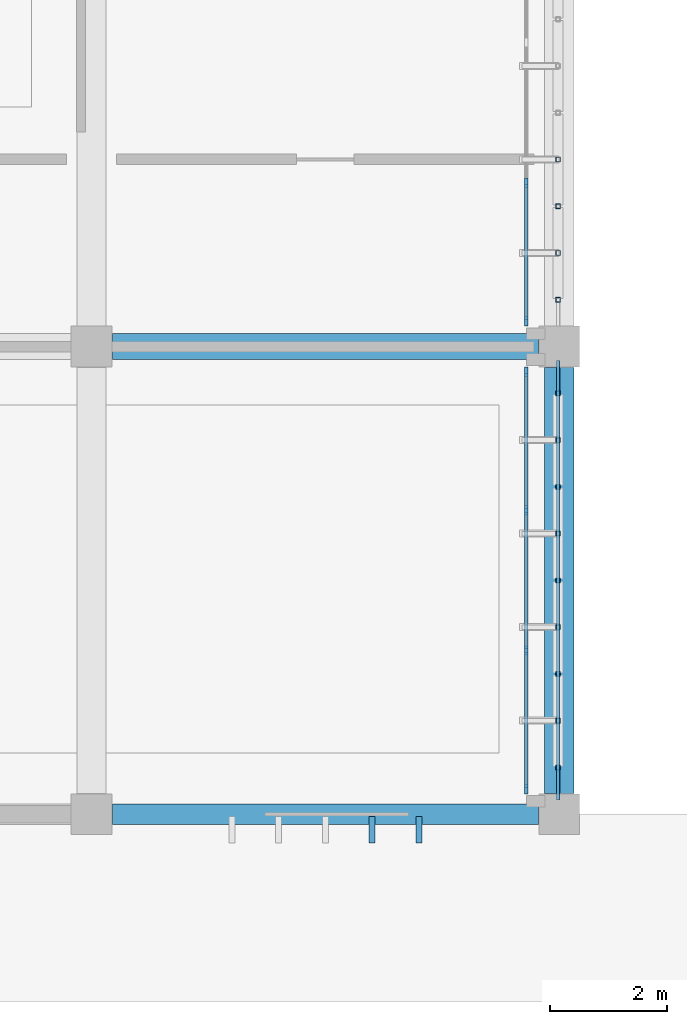
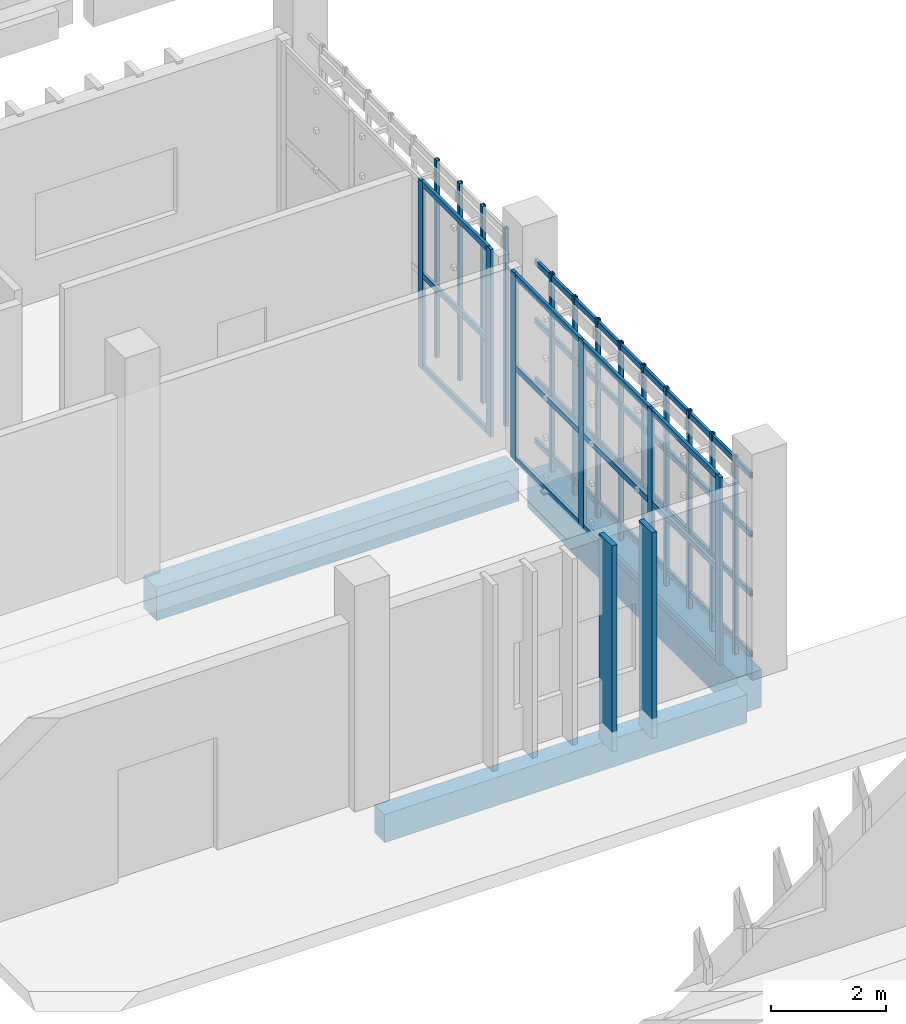
# One storey, part 44 of 117: 37 members, 3 beams, 2 elements without a shape of their own.
"""IFC4 building model written with IfcOpenShell, lengths in metres."""

from ifc_helpers import new_model, si_unit, direction, frame, origin, origin_2d, place, context, subcontext, project, spatial, rectangle, hollow_rectangle, extrude, material, layer, layer_set, material_profile, profile_set, type_object, element, aggregate, save


model = new_model("IFC4")

# Units and contexts
model_context = context("Model", 3, precision=1e-05, world=origin(), true_north=direction((0.0, 1.0)))
body_context = subcontext(model_context, "Body", "Model", "MODEL_VIEW")
ifc_project = project(units=[si_unit("LENGTHUNIT", "METRE"), si_unit("AREAUNIT", "SQUARE_METRE"), si_unit("VOLUMEUNIT", "CUBIC_METRE"), si_unit("PLANEANGLEUNIT", "RADIAN"), si_unit("MASSUNIT", "GRAM", prefix="KILO")], contexts=[model_context])

# Site, building, storey
site_placement = place(None, origin())
site = spatial("IfcSite", under=ifc_project, at=site_placement, CompositionType="ELEMENT")
building_placement = place(site_placement, origin())
building = spatial("IfcBuilding", under=site, at=building_placement, Name="Jelvoka-Kovrelna Polytechnic", CompositionType="ELEMENT")
storey_placement = place(building_placement, origin())
storey = spatial("IfcBuildingStorey", under=building, at=storey_placement, Name="L01", CompositionType="ELEMENT", Elevation=0.0)

# Beams
ifc_material_1 = material(Name="Concrete C40/50", Category="concrete")
ifc_material_profile_1 = material_profile(ifc_material_1, rectangle(XDim=0.449951171875, YDim=0.699951171875, at=origin_2d()), Name="RC 450x700")
ifc_profile_set_1 = profile_set([ifc_material_profile_1], Name="Concrete C40/50")
beam_type_1 = type_object("IfcBeamType", Name="Beam_RC_450x700", PredefinedType="BEAM", material=ifc_profile_set_1)
beam_1_placement = place(storey_placement, frame((104.35498046875, 40.0, -0.7548828125), z_axis=(1.0, 0.0, 0.0), x_axis=(0.0, 1.0, 0.0)))
element("IfcBeam", 1, at=beam_1_placement, inside=storey, type_object=beam_type_1, Name="L01 beam 0378", PredefinedType="BEAM", context=body_context, shape_type="SweptSolid", body=[
    extrude(rectangle(XDim=0.449951171875, YDim=0.699951171875, at=origin_2d()), origin(), (0.0, 0.0, 1.0), 7.2900390625),
])
ifc_material_2 = material(Name="Concrete C40/50", Category="concrete")
ifc_material_profile_2 = material_profile(ifc_material_2, rectangle(XDim=0.5, YDim=0.800048828125, at=origin_2d()), Name="RC 500x800")
ifc_profile_set_2 = profile_set([ifc_material_profile_2], Name="Concrete C40/50")
beam_type_2 = type_object("IfcBeamType", Name="Beam_RC_500x800", PredefinedType="BEAM", material=ifc_profile_set_2)
beam_2_placement = place(storey_placement, frame((112.0, 32.35498046875, -0.804931640625), z_axis=(0.0, 1.0, 0.0), x_axis=(-1.0, 0.0, 0.0)))
element("IfcBeam", 2, at=beam_2_placement, inside=storey, type_object=beam_type_2, Name="L01 beam 0400", PredefinedType="BEAM", context=body_context, shape_type="SweptSolid", body=[
    extrude(rectangle(XDim=0.5, YDim=0.800048828125, at=origin_2d()), origin(), (0.0, 0.0, 1.0), 7.2900390625),
])

# Members
ifc_material_3 = material(Name="Precast concrete C40/50", Category="concrete")
ifc_material_profile_3 = material_profile(ifc_material_3, rectangle(XDim=0.10009765625, YDim=0.449951171875, at=origin_2d()), Name="PC 100x450")
ifc_profile_set_3 = profile_set([ifc_material_profile_3], Name="Precast concrete C40/50")
member_type_1 = type_object("IfcMemberType", Name="Louvre_Fin_100x450", PredefinedType="USERDEFINED", material=ifc_profile_set_3)
for number, where, z_axis, x_axis, name in (
    (3, (108.800048828125, 31.735107421875, -0.419921875), (0.0, 0.0, 1.0), (1.0, 0.0, 0.0), "L01 B2W south vertical solar louvre fin 0594"),
    (4, (109.60009765625, 31.735107421875, -0.419921875), (0.0, 0.0, 1.0), (1.0, 0.0, 0.0), "L01 B2W south vertical solar louvre fin 0595"),
):
    element("IfcMember", number, at=place(storey_placement, frame(where, z_axis=z_axis, x_axis=x_axis)), inside=storey, type_object=member_type_1, Name=name, ObjectType="SUNSHADE", PredefinedType="USERDEFINED", context=body_context, shape_type="SweptSolid", body=[
        extrude(rectangle(XDim=0.10009765625, YDim=0.449951171875, at=origin_2d()), origin(), (0.0, 0.0, 1.0), 4.3798828125),
    ])
ifc_material_4 = material(Name="Structural steel S355J2H", Category="steel")
ifc_material_profile_4 = material_profile(ifc_material_4, hollow_rectangle(XDim=0.06005859375, YDim=0.1201171875, WallThickness=0.0048828125, InnerFilletRadius=0.0048828125, OuterFilletRadius=0.007568359375, at=origin_2d()), Name="120x60x5.0 RHS")
ifc_profile_set_4 = profile_set([ifc_material_profile_4], Name="Structural steel S355J2H")
member_type_2 = type_object("IfcMemberType", Name="Member_Strut_RHS120", PredefinedType="STRUT", material=ifc_profile_set_4)
for number, where, z_axis, x_axis, name in (
    (5, (111.97998046875, 32.239990234375, 0.080078125), (0.0, 1.0, 0.0), (-1.0, 0.0, 0.0), "L01 terracotta screen horizontal strut 0105"),
    (6, (111.97998046875, 32.239990234375, 1.37548828125), (0.0, 1.0, 0.0), (-1.0, 0.0, 0.0), "L01 terracotta screen horizontal strut 0106"),
    (7, (111.97998046875, 32.239990234375, 2.6328125), (0.0, 1.0, 0.0), (-1.0, 0.0, 0.0), "L01 terracotta screen horizontal strut 0107"),
    (8, (111.97998046875, 32.239990234375, 3.889892578125), (0.0, 1.0, 0.0), (-1.0, 0.0, 0.0), "L01 terracotta screen horizontal strut 0108"),
):
    element("IfcMember", number, at=place(storey_placement, frame(where, z_axis=z_axis, x_axis=x_axis)), inside=storey, type_object=member_type_2, Name=name, PredefinedType="STRUT", context=body_context, shape_type="SweptSolid", body=[
        extrude(hollow_rectangle(XDim=0.06005859375, YDim=0.1201171875, WallThickness=0.0048828125, InnerFilletRadius=0.0048828125, OuterFilletRadius=0.007568359375, at=origin_2d()), origin(), (0.0, 0.0, 1.0), 7.52001953125),
    ])
ifc_material_5 = material(Name="Structural steel S355J2H", Category="steel")
ifc_material_profile_5 = material_profile(ifc_material_5, hollow_rectangle(XDim=0.080078125, YDim=0.080078125, WallThickness=0.0048828125, InnerFilletRadius=0.0048828125, OuterFilletRadius=0.007568359375, at=origin_2d()), Name="80x80x5.0 SHS")
ifc_profile_set_5 = profile_set([ifc_material_profile_5], Name="Structural steel S355J2H")
member_type_3 = type_object("IfcMemberType", Name="Member_Strut_SHS80", PredefinedType="STRUT", material=ifc_profile_set_5)
for number, where, z_axis, x_axis, name in (
    (9, (111.97998046875, 32.800048828125, -0.22998046875), (0.0, 0.0, 1.0), (1.0, 0.0, 0.0), "L01 terracotta lattice vertical rib 0109"),
    (10, (111.97998046875, 33.60009765625, -0.22998046875), (0.0, 0.0, 1.0), (1.0, 0.0, 0.0), "L01 terracotta lattice vertical rib 0110"),
    (11, (111.97998046875, 34.39990234375, -0.22998046875), (0.0, 0.0, 1.0), (1.0, 0.0, 0.0), "L01 terracotta lattice vertical rib 0111"),
    (12, (111.97998046875, 35.199951171875, -0.22998046875), (0.0, 0.0, 1.0), (1.0, 0.0, 0.0), "L01 terracotta lattice vertical rib 0112"),
    (13, (111.97998046875, 36.0, -0.22998046875), (0.0, 0.0, 1.0), (1.0, 0.0, 0.0), "L01 terracotta lattice vertical rib 0113"),
    (14, (111.97998046875, 36.800048828125, -0.22998046875), (0.0, 0.0, 1.0), (1.0, 0.0, 0.0), "L01 terracotta lattice vertical rib 0114"),
    (15, (111.97998046875, 37.60009765625, -0.22998046875), (0.0, 0.0, 1.0), (1.0, 0.0, 0.0), "L01 terracotta lattice vertical rib 0115"),
    (16, (111.97998046875, 38.39990234375, -0.22998046875), (0.0, 0.0, 1.0), (1.0, 0.0, 0.0), "L01 terracotta lattice vertical rib 0116"),
    (17, (111.97998046875, 39.199951171875, -0.22998046875), (0.0, 0.0, 1.0), (1.0, 0.0, 0.0), "L01 terracotta lattice vertical rib 0117"),
    (18, (111.97998046875, 40.800048828125, -0.22998046875), (0.0, 0.0, 1.0), (1.0, 0.0, 0.0), "L01 terracotta lattice vertical rib 0122"),
    (19, (111.97998046875, 41.60009765625, -0.22998046875), (0.0, 0.0, 1.0), (1.0, 0.0, 0.0), "L01 terracotta lattice vertical rib 0123"),
    (20, (111.97998046875, 42.39990234375, -0.22998046875), (0.0, 0.0, 1.0), (1.0, 0.0, 0.0), "L01 terracotta lattice vertical rib 0124"),
    (21, (111.97998046875, 43.199951171875, -0.22998046875), (0.0, 0.0, 1.0), (1.0, 0.0, 0.0), "L01 terracotta lattice vertical rib 0125"),
):
    element("IfcMember", number, at=place(storey_placement, frame(where, z_axis=z_axis, x_axis=x_axis)), inside=storey, type_object=member_type_3, Name=name, PredefinedType="STRUT", context=body_context, shape_type="SweptSolid", body=[
        extrude(hollow_rectangle(XDim=0.080078125, YDim=0.080078125, WallThickness=0.0048828125, InnerFilletRadius=0.0048828125, OuterFilletRadius=0.007568359375, at=origin_2d()), origin(), (0.0, 0.0, 1.0), 4.2099609375),
    ])

# Curtain wall, members
ifc_material_6 = material(Name="Anodised aluminium 6063-T6", Category="aluminium")
ifc_layer = layer(ifc_material_6, 0.159912109375)
ifc_layer_set = layer_set([ifc_layer], Name="Anodised aluminium 6063-T6")
curtain_wall_type = type_object("IfcCurtainWallType", Name="CW_Recessed_A", PredefinedType="NOTDEFINED", material=ifc_layer_set)
curtain_wall_1_placement = place(storey_placement, origin())
curtain_wall_1 = element("IfcCurtainWall", 22, at=curtain_wall_1_placement, inside=storey, type_object=curtain_wall_type, Name="L01 glazed curtain wall 013", PredefinedType="NOTDEFINED")
ifc_material_7 = material(Name="Anodised aluminium 6063-T6", Category="aluminium")
ifc_material_profile_6 = material_profile(ifc_material_7, rectangle(XDim=0.06005859375, YDim=0.159912109375, at=origin_2d()), Name="ALU 60x160")
ifc_profile_set_6 = profile_set([ifc_material_profile_6], Name="Anodised aluminium 6063-T6")
member_type_4 = type_object("IfcMemberType", Name="Mullion_M-01", PredefinedType="MULLION", material=ifc_profile_set_6)
member_1_placement = place(storey_placement, frame((111.43994140625, 39.570068359375, -0.02490234375), z_axis=(0.0, 0.0, 1.0), x_axis=(1.0, 0.0, 0.0)))
member_1 = element("IfcMember", 23, at=member_1_placement, type_object=member_type_4, Name="CW-01 mullion 1", PredefinedType="MULLION", context=body_context, shape_type="SweptSolid", body=[
    extrude(rectangle(XDim=0.06005859375, YDim=0.159912109375, at=origin_2d()), origin(), (0.0, 0.0, 1.0), 4.0),
])
member_2_placement = place(storey_placement, frame((111.43994140625, 37.199951171875, -0.02490234375), z_axis=(0.0, 0.0, 1.0), x_axis=(1.0, 0.0, 0.0)))
member_2 = element("IfcMember", 24, at=member_2_placement, type_object=member_type_4, Name="CW-01 mullion 2", PredefinedType="MULLION", context=body_context, shape_type="SweptSolid", body=[
    extrude(rectangle(XDim=0.06005859375, YDim=0.159912109375, at=origin_2d()), origin(), (0.0, 0.0, 1.0), 4.0),
])
member_3_placement = place(storey_placement, frame((111.43994140625, 34.800048828125, -0.02490234375), z_axis=(0.0, 0.0, 1.0), x_axis=(1.0, 0.0, 0.0)))
member_3 = element("IfcMember", 25, at=member_3_placement, type_object=member_type_4, Name="CW-01 mullion 3", PredefinedType="MULLION", context=body_context, shape_type="SweptSolid", body=[
    extrude(rectangle(XDim=0.06005859375, YDim=0.159912109375, at=origin_2d()), origin(), (0.0, 0.0, 1.0), 4.0),
])
member_4_placement = place(storey_placement, frame((111.43994140625, 32.429931640625, -0.02490234375), z_axis=(0.0, 0.0, 1.0), x_axis=(1.0, 0.0, 0.0)))
member_4 = element("IfcMember", 26, at=member_4_placement, type_object=member_type_4, Name="CW-01 mullion 4", PredefinedType="MULLION", context=body_context, shape_type="SweptSolid", body=[
    extrude(rectangle(XDim=0.06005859375, YDim=0.159912109375, at=origin_2d()), origin(), (0.0, 0.0, 1.0), 4.0),
])

curtain_wall_2_placement = place(storey_placement, origin())
curtain_wall_2 = element("IfcCurtainWall", 27, at=curtain_wall_2_placement, inside=storey, type_object=curtain_wall_type, Name="L01 glazed curtain wall 014", PredefinedType="NOTDEFINED")
member_5_placement = place(storey_placement, frame((111.43994140625, 42.800048828125, -0.02490234375), z_axis=(0.0, 0.0, 1.0), x_axis=(1.0, 0.0, 0.0)))
member_5 = element("IfcMember", 28, at=member_5_placement, type_object=member_type_4, Name="CW-01 mullion 3", PredefinedType="MULLION", context=body_context, shape_type="SweptSolid", body=[
    extrude(rectangle(XDim=0.06005859375, YDim=0.159912109375, at=origin_2d()), origin(), (0.0, 0.0, 1.0), 4.0),
])
member_6_placement = place(storey_placement, frame((111.43994140625, 40.429931640625, -0.02490234375), z_axis=(0.0, 0.0, 1.0), x_axis=(1.0, 0.0, 0.0)))
member_6 = element("IfcMember", 29, at=member_6_placement, type_object=member_type_4, Name="CW-01 mullion 4", PredefinedType="MULLION", context=body_context, shape_type="SweptSolid", body=[
    extrude(rectangle(XDim=0.06005859375, YDim=0.159912109375, at=origin_2d()), origin(), (0.0, 0.0, 1.0), 4.0),
])

# Beam
ifc_material_8 = material(Name="Concrete C40/50", Category="concrete")
ifc_material_profile_7 = material_profile(ifc_material_8, rectangle(XDim=0.35009765625, YDim=0.60009765625, at=origin_2d()), Name="RC 350x600")
ifc_profile_set_7 = profile_set([ifc_material_profile_7], Name="Concrete C40/50")
beam_type_3 = type_object("IfcBeamType", Name="Spandrel_RC_350x600", PredefinedType="SPANDREL", material=ifc_profile_set_7)
beam_3_placement = place(storey_placement, frame((104.35498046875, 32.0, -0.705078125), z_axis=(1.0, 0.0, 0.0), x_axis=(0.0, 1.0, 0.0)))
element("IfcBeam", 30, at=beam_3_placement, inside=storey, type_object=beam_type_3, Name="L01 beam 0372", PredefinedType="SPANDREL", context=body_context, shape_type="SweptSolid", body=[
    extrude(rectangle(XDim=0.35009765625, YDim=0.60009765625, at=origin_2d()), origin(), (0.0, 0.0, 1.0), 7.2900390625),
])

# Member
ifc_material_9 = material(Name="Anodised aluminium 6063-T6", Category="aluminium")
ifc_material_profile_8 = material_profile(ifc_material_9, rectangle(XDim=0.06005859375, YDim=0.1201171875, at=origin_2d()), Name="ALU 60x120")
ifc_profile_set_8 = profile_set([ifc_material_profile_8], Name="Anodised aluminium 6063-T6")
member_type_5 = type_object("IfcMemberType", Name="Transom_T-01", PredefinedType="USERDEFINED", material=ifc_profile_set_8)
member_7_placement = place(storey_placement, frame((111.43994140625, 39.5400390625, 0.030029296875), z_axis=(0.0, -1.0, 0.0), x_axis=(1.0, 0.0, 0.0)))
member_7 = element("IfcMember", 31, at=member_7_placement, type_object=member_type_5, Name="CW-01 transom 1.1", ObjectType="TRANSOM", PredefinedType="USERDEFINED", context=body_context, shape_type="SweptSolid", body=[
    extrude(rectangle(XDim=0.06005859375, YDim=0.1201171875, at=origin_2d()), origin(), (0.0, 0.0, 1.0), 2.31005859375),
])

member_8_placement = place(storey_placement, frame((111.43994140625, 39.5400390625, 1.97509765625), z_axis=(0.0, -1.0, 0.0), x_axis=(1.0, 0.0, 0.0)))
member_8 = element("IfcMember", 32, at=member_8_placement, type_object=member_type_5, Name="CW-01 transom 1.2", ObjectType="TRANSOM", PredefinedType="USERDEFINED", context=body_context, shape_type="SweptSolid", body=[
    extrude(rectangle(XDim=0.06005859375, YDim=0.1201171875, at=origin_2d()), origin(), (0.0, 0.0, 1.0), 2.31005859375),
])

member_9_placement = place(storey_placement, frame((111.43994140625, 39.5400390625, 3.919921875), z_axis=(0.0, -1.0, 0.0), x_axis=(1.0, 0.0, 0.0)))
member_9 = element("IfcMember", 33, at=member_9_placement, type_object=member_type_5, Name="CW-01 transom 1.3", ObjectType="TRANSOM", PredefinedType="USERDEFINED", context=body_context, shape_type="SweptSolid", body=[
    extrude(rectangle(XDim=0.06005859375, YDim=0.1201171875, at=origin_2d()), origin(), (0.0, 0.0, 1.0), 2.31005859375),
])

member_10_placement = place(storey_placement, frame((111.43994140625, 37.169921875, 0.030029296875), z_axis=(0.0, -1.0, 0.0), x_axis=(1.0, 0.0, 0.0)))
member_10 = element("IfcMember", 34, at=member_10_placement, type_object=member_type_5, Name="CW-01 transom 2.1", ObjectType="TRANSOM", PredefinedType="USERDEFINED", context=body_context, shape_type="SweptSolid", body=[
    extrude(rectangle(XDim=0.06005859375, YDim=0.1201171875, at=origin_2d()), origin(), (0.0, 0.0, 1.0), 2.33984375),
])

member_11_placement = place(storey_placement, frame((111.43994140625, 37.169921875, 1.97509765625), z_axis=(0.0, -1.0, 0.0), x_axis=(1.0, 0.0, 0.0)))
member_11 = element("IfcMember", 35, at=member_11_placement, type_object=member_type_5, Name="CW-01 transom 2.2", ObjectType="TRANSOM", PredefinedType="USERDEFINED", context=body_context, shape_type="SweptSolid", body=[
    extrude(rectangle(XDim=0.06005859375, YDim=0.1201171875, at=origin_2d()), origin(), (0.0, 0.0, 1.0), 2.33984375),
])

member_12_placement = place(storey_placement, frame((111.43994140625, 37.169921875, 3.919921875), z_axis=(0.0, -1.0, 0.0), x_axis=(1.0, 0.0, 0.0)))
member_12 = element("IfcMember", 36, at=member_12_placement, type_object=member_type_5, Name="CW-01 transom 2.3", ObjectType="TRANSOM", PredefinedType="USERDEFINED", context=body_context, shape_type="SweptSolid", body=[
    extrude(rectangle(XDim=0.06005859375, YDim=0.1201171875, at=origin_2d()), origin(), (0.0, 0.0, 1.0), 2.33984375),
])

member_13_placement = place(storey_placement, frame((111.43994140625, 34.77001953125, 0.030029296875), z_axis=(0.0, -1.0, 0.0), x_axis=(1.0, 0.0, 0.0)))
member_13 = element("IfcMember", 37, at=member_13_placement, type_object=member_type_5, Name="CW-01 transom 3.1", ObjectType="TRANSOM", PredefinedType="USERDEFINED", context=body_context, shape_type="SweptSolid", body=[
    extrude(rectangle(XDim=0.06005859375, YDim=0.1201171875, at=origin_2d()), origin(), (0.0, 0.0, 1.0), 2.31005859375),
])

member_14_placement = place(storey_placement, frame((111.43994140625, 34.77001953125, 1.97509765625), z_axis=(0.0, -1.0, 0.0), x_axis=(1.0, 0.0, 0.0)))
member_14 = element("IfcMember", 38, at=member_14_placement, type_object=member_type_5, Name="CW-01 transom 3.2", ObjectType="TRANSOM", PredefinedType="USERDEFINED", context=body_context, shape_type="SweptSolid", body=[
    extrude(rectangle(XDim=0.06005859375, YDim=0.1201171875, at=origin_2d()), origin(), (0.0, 0.0, 1.0), 2.31005859375),
])

member_15_placement = place(storey_placement, frame((111.43994140625, 34.77001953125, 3.919921875), z_axis=(0.0, -1.0, 0.0), x_axis=(1.0, 0.0, 0.0)))
member_15 = element("IfcMember", 39, at=member_15_placement, type_object=member_type_5, Name="CW-01 transom 3.3", ObjectType="TRANSOM", PredefinedType="USERDEFINED", context=body_context, shape_type="SweptSolid", body=[
    extrude(rectangle(XDim=0.06005859375, YDim=0.1201171875, at=origin_2d()), origin(), (0.0, 0.0, 1.0), 2.31005859375),
])

aggregate(curtain_wall_1, [member_1, member_2, member_3, member_4, member_7, member_8, member_9, member_10, member_11, member_12, member_13, member_14, member_15])

member_16_placement = place(storey_placement, frame((111.43994140625, 42.77001953125, 0.030029296875), z_axis=(0.0, -1.0, 0.0), x_axis=(1.0, 0.0, 0.0)))
member_16 = element("IfcMember", 40, at=member_16_placement, type_object=member_type_5, Name="CW-01 transom 3.1", ObjectType="TRANSOM", PredefinedType="USERDEFINED", context=body_context, shape_type="SweptSolid", body=[
    extrude(rectangle(XDim=0.06005859375, YDim=0.1201171875, at=origin_2d()), origin(), (0.0, 0.0, 1.0), 2.31005859375),
])

member_17_placement = place(storey_placement, frame((111.43994140625, 42.77001953125, 1.97509765625), z_axis=(0.0, -1.0, 0.0), x_axis=(1.0, 0.0, 0.0)))
member_17 = element("IfcMember", 41, at=member_17_placement, type_object=member_type_5, Name="CW-01 transom 3.2", ObjectType="TRANSOM", PredefinedType="USERDEFINED", context=body_context, shape_type="SweptSolid", body=[
    extrude(rectangle(XDim=0.06005859375, YDim=0.1201171875, at=origin_2d()), origin(), (0.0, 0.0, 1.0), 2.31005859375),
])

member_18_placement = place(storey_placement, frame((111.43994140625, 42.77001953125, 3.919921875), z_axis=(0.0, -1.0, 0.0), x_axis=(1.0, 0.0, 0.0)))
member_18 = element("IfcMember", 42, at=member_18_placement, type_object=member_type_5, Name="CW-01 transom 3.3", ObjectType="TRANSOM", PredefinedType="USERDEFINED", context=body_context, shape_type="SweptSolid", body=[
    extrude(rectangle(XDim=0.06005859375, YDim=0.1201171875, at=origin_2d()), origin(), (0.0, 0.0, 1.0), 2.31005859375),
])

aggregate(curtain_wall_2, [member_5, member_6, member_16, member_17, member_18])

save(model, "model.ifc")
